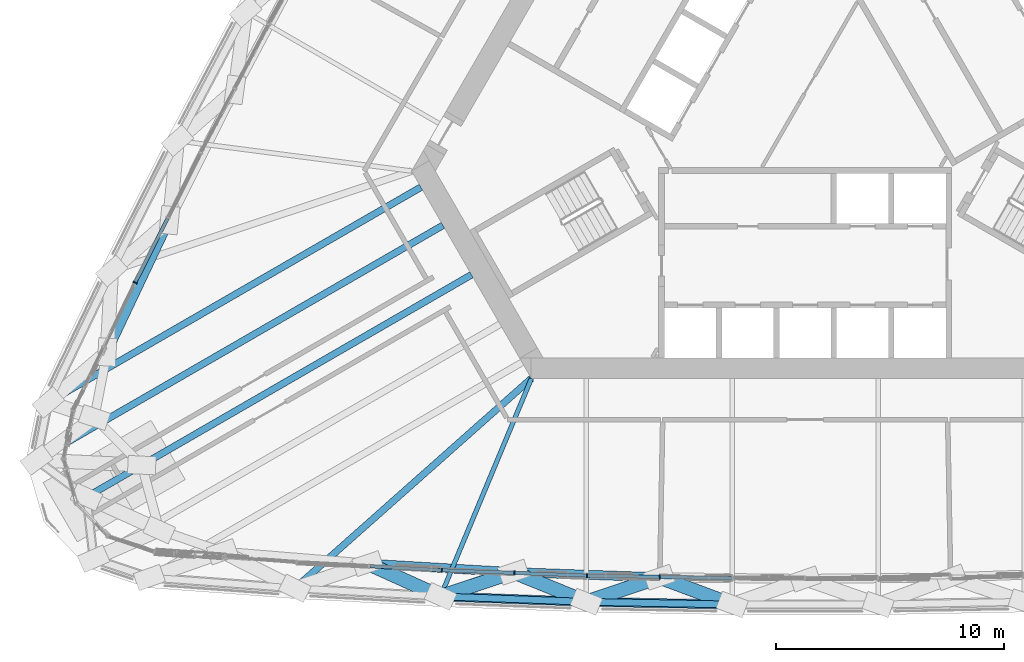
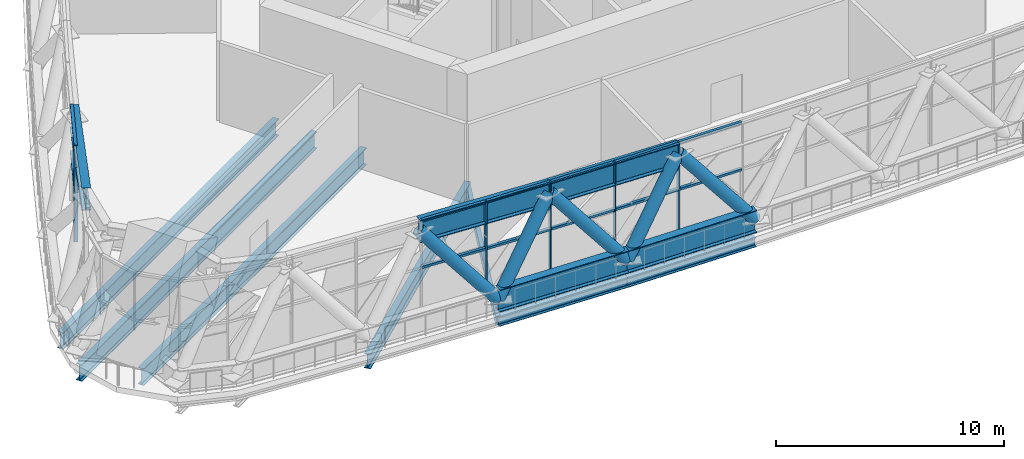
# One storey, part 2 of 43: 27 members, 7 beams, 2 elements without a shape of their own.
"""IFC4 building model written with IfcOpenShell, lengths in metres."""

from ifc_helpers import new_model, si_unit, direction, frame, origin, origin_2d, place, context, subcontext, project, spatial, rectangle, hollow_circle, i_section, extrude, material, material_profile, profile_set, type_object, element, aggregate, save


model = new_model("IFC4")

# Units and contexts
model_context = context("Model", 3, precision=1e-05, world=origin(), true_north=direction((0.0, 1.0)))
body_context = subcontext(model_context, "Body", "Model", "MODEL_VIEW")
ifc_project = project(units=[si_unit("LENGTHUNIT", "METRE"), si_unit("AREAUNIT", "SQUARE_METRE"), si_unit("VOLUMEUNIT", "CUBIC_METRE"), si_unit("PLANEANGLEUNIT", "RADIAN"), si_unit("MASSUNIT", "GRAM", prefix="KILO")], contexts=[model_context])

# Site, building, storey
site_placement = place(None, origin())
site = spatial("IfcSite", under=ifc_project, at=site_placement, CompositionType="ELEMENT")
building_placement = place(site_placement, origin())
building = spatial("IfcBuilding", under=site, at=building_placement, Name="Mestral Congress Tower", CompositionType="ELEMENT")
storey_placement = place(building_placement, frame((0.0, 0.0, 78.300048828125)))
storey = spatial("IfcBuildingStorey", under=building, at=storey_placement, Name="L18", CompositionType="ELEMENT", Elevation=78.300048828125)

# Members
ifc_material_1 = material(Name="Steel S355", Category="steel")
ifc_material_profile_1 = material_profile(ifc_material_1, i_section(OverallWidth=0.39990234375, OverallDepth=1.199951171875, WebThickness=0.02001953125, FlangeThickness=0.0400390625, FilletRadius=0.010009765625, at=origin_2d()), Name="WPG 1200")
ifc_profile_set_1 = profile_set([ifc_material_profile_1], Name="Steel S355")
member_type_1 = type_object("IfcMemberType", Name="Belt chord WPG 1200 S355", PredefinedType="CHORD", material=ifc_profile_set_1)
for number, where, z_axis, x_axis, name in (
    (1, (-15.994384765625, -22.558349609375, 0.599853515625), (0.999316557166, -0.0369650994, 0.0), (0.0369650994, 0.999316557166, 0.0), "MB-L18-BC1-S02"),
    (2, (-9.598876953125, -22.794921875, 0.599853515625), (0.99982954269, -0.018463086557, 0.0), (0.018463086557, 0.99982954269, 0.0), "MB-L18-BC1-S03"),
    (3, (-19.184326171875, -21.120361328125, 4.550048828125), (0.998290777072, -0.058442488077, 0.0), (0.058442488077, 0.998290777072, 0.0), "MB-L18-TC1-S01"),
    (4, (-12.79541015625, -21.494384765625, 4.550048828125), (0.999385298652, -0.035057450548, 0.0), (0.035057450548, 0.999385298652, 0.0), "MB-L18-TC1-S02"),
    (5, (-27.8828125, -6.0537109375, 4.550048828125), (-0.427513966881, -0.904008743388, 0.0), (0.904008743388, -0.427513966881, 0.0), "MB-L18-TC1-W07"),
):
    element("IfcMember", number, at=place(storey_placement, frame(where, z_axis=z_axis, x_axis=x_axis)), inside=storey, type_object=member_type_1, Name=name, PredefinedType="CHORD", context=body_context, shape_type="SweptSolid", body=[
        extrude(i_section(OverallWidth=0.39990234375, OverallDepth=1.199951171875, WebThickness=0.02001953125, FlangeThickness=0.0400390625, FilletRadius=0.010009765625, at=origin_2d()), origin(), (0.0, 0.0, 1.0), 6.39990234375),
    ])
ifc_material_profile_2 = material_profile(ifc_material_1, hollow_circle(Radius=0.304931640625, WallThickness=0.02490234375, at=origin_2d()), Name="CHS 610x25")
ifc_profile_set_2 = profile_set([ifc_material_profile_2], Name="Steel S355")
member_type_2 = type_object("IfcMemberType", Name="Belt diagonal CHS 610x25 S355", PredefinedType="BRACE", material=ifc_profile_set_2)
member_1_placement = place(storey_placement, frame((-15.994384765625, -22.558349609375, 0.599853515625), z_axis=(-0.604489803802, 0.272496934364, 0.748556943634), x_axis=(-0.410962227958, -0.911652371901, 0.0)))
element("IfcMember", 6, at=member_1_placement, inside=storey, type_object=member_type_2, Name="MD-L18-BD1-S02.S01", PredefinedType="BRACE", context=body_context, shape_type="SweptSolid", body=[
    extrude(hollow_circle(Radius=0.304931640625, WallThickness=0.02490234375, at=origin_2d()), origin(), (0.0, 0.0, 1.0), 5.277099609375),
])
member_2_placement = place(storey_placement, frame((-15.994384765625, -22.558349609375, 0.599853515625), z_axis=(0.615990938382, 0.204875868845, 0.76064514867), x_axis=(-0.315597659649, 0.948893101052, 0.0)))
element("IfcMember", 7, at=member_2_placement, inside=storey, type_object=member_type_2, Name="MD-L18-BD1-S02.S02", PredefinedType="BRACE", context=body_context, shape_type="SweptSolid", body=[
    extrude(hollow_circle(Radius=0.304931640625, WallThickness=0.02490234375, at=origin_2d()), origin(), (0.0, 0.0, 1.0), 5.193115234375),
])
member_3_placement = place(storey_placement, frame((-9.598876953125, -22.794921875, 0.599853515625), z_axis=(-0.609408012251, 0.247942906993, 0.75309108976), x_axis=(-0.376860887221, -0.926269869791, 0.0)))
element("IfcMember", 8, at=member_3_placement, inside=storey, type_object=member_type_2, Name="MD-L18-BD1-S03.S02", PredefinedType="BRACE", context=body_context, shape_type="SweptSolid", body=[
    extrude(hollow_circle(Radius=0.304931640625, WallThickness=0.02490234375, at=origin_2d()), origin(), (0.0, 0.0, 1.0), 5.245361328125),
])
member_4_placement = place(storey_placement, frame((-9.598876953125, -22.794921875, 0.599853515625), z_axis=(0.615751154668, 0.207114161753, 0.760233016599), x_axis=(-0.318808597266, 0.947819116873, 0.0)))
element("IfcMember", 9, at=member_4_placement, inside=storey, type_object=member_type_2, Name="MD-L18-BD1-S03.S03", PredefinedType="BRACE", context=body_context, shape_type="SweptSolid", body=[
    extrude(hollow_circle(Radius=0.304931640625, WallThickness=0.02490234375, at=origin_2d()), origin(), (0.0, 0.0, 1.0), 5.196044921875),
])
member_5_placement = place(storey_placement, frame((-3.199951171875, -22.9130859375, 0.599853515625), z_axis=(-0.612714342998, 0.228721752457, 0.756483637521), x_axis=(-0.349720702198, -0.936854007012, 0.0)))
element("IfcMember", 10, at=member_5_placement, inside=storey, type_object=member_type_2, Name="MD-L18-BD1-S04.S03", PredefinedType="BRACE", context=body_context, shape_type="SweptSolid", body=[
    extrude(hollow_circle(Radius=0.304931640625, WallThickness=0.02490234375, at=origin_2d()), origin(), (0.0, 0.0, 1.0), 5.2216796875),
])

# Curtain wall, members
ifc_material_2 = material(Name="Clear low-emissivity double glazing", Category="glass")
curtain_wall_type = type_object("IfcCurtainWallType", Name="Facade refuge band screen", PredefinedType="USERDEFINED", material=ifc_material_2)
placement = place(storey_placement, origin())
curtain_wall_1 = element("IfcCurtainWall", 11, at=placement, inside=storey, type_object=curtain_wall_type, Name="Facade refuge band screen face 1", ObjectType="CURTAIN WALL", PredefinedType="USERDEFINED")
ifc_material_3 = material(Name="Anodised aluminium", Category="aluminium")
ifc_material_profile_3 = material_profile(ifc_material_3, rectangle(XDim=0.179931640625, YDim=0.06005859375, at=origin_2d()), Name="CW3 mullion 180 x 60")
ifc_profile_set_3 = profile_set([ifc_material_profile_3], Name="Anodised aluminium")
member_type_3 = type_object("IfcMemberType", Name="Facade refuge band screen mullion", PredefinedType="MULLION", material=ifc_profile_set_3)
member_6_placement = place(storey_placement, frame((-15.941162109375, -21.409423828125, 0.0), z_axis=(0.0, 0.0, 1.0), x_axis=(-0.04619986774, -0.998932216029, 0.0)))
member_6 = element("IfcMember", 12, at=member_6_placement, type_object=member_type_3, Name="Facade refuge band screen mullion", PredefinedType="MULLION", context=body_context, shape_type="SweptSolid", body=[
    extrude(rectangle(XDim=0.179931640625, YDim=0.06005859375, at=origin_2d()), origin(), (0.0, 0.0, 1.0), 5.14990234375),
])
member_7_placement = place(storey_placement, frame((-12.75390625, -21.52734375, 0.0), z_axis=(0.0, 0.0, 1.0), x_axis=(-0.036964631714, -0.999316574466, 0.0)))
member_7 = element("IfcMember", 13, at=member_7_placement, type_object=member_type_3, Name="Facade refuge band screen mullion", PredefinedType="MULLION", context=body_context, shape_type="SweptSolid", body=[
    extrude(rectangle(XDim=0.179931640625, YDim=0.06005859375, at=origin_2d()), origin(), (0.0, 0.0, 1.0), 5.14990234375),
])
member_8_placement = place(storey_placement, frame((-9.56689453125, -21.645263671875, 0.0), z_axis=(0.0, 0.0, 1.0), x_axis=(-0.027726237529, -0.999615553977, 0.0)))
member_8 = element("IfcMember", 14, at=member_8_placement, type_object=member_type_3, Name="Facade refuge band screen mullion", PredefinedType="MULLION", context=body_context, shape_type="SweptSolid", body=[
    extrude(rectangle(XDim=0.179931640625, YDim=0.06005859375, at=origin_2d()), origin(), (0.0, 0.0, 1.0), 5.14990234375),
])
member_9_placement = place(storey_placement, frame((-6.378173828125, -21.704345703125, 0.0), z_axis=(0.0, 0.0, 1.0), x_axis=(-0.018485474488, -0.999829129018, 0.0)))
member_9 = element("IfcMember", 15, at=member_9_placement, type_object=member_type_3, Name="Facade refuge band screen mullion", PredefinedType="MULLION", context=body_context, shape_type="SweptSolid", body=[
    extrude(rectangle(XDim=0.179931640625, YDim=0.06005859375, at=origin_2d()), origin(), (0.0, 0.0, 1.0), 5.14990234375),
])

# Curtain wall, member
curtain_wall_2 = element("IfcCurtainWall", 16, at=placement, inside=storey, type_object=curtain_wall_type, Name="Facade refuge band screen face 3", ObjectType="CURTAIN WALL", PredefinedType="USERDEFINED")
member_10_placement = place(storey_placement, frame((-29.389892578125, -8.793212890625, 0.0), z_axis=(0.0, 0.0, 1.0), x_axis=(-0.896542101273, 0.442958531519, 0.0)))
member_10 = element("IfcMember", 17, at=member_10_placement, type_object=member_type_3, Name="Facade refuge band screen mullion", PredefinedType="MULLION", context=body_context, shape_type="SweptSolid", body=[
    extrude(rectangle(XDim=0.179931640625, YDim=0.06005859375, at=origin_2d()), origin(), (0.0, 0.0, 1.0), 5.14990234375),
])

# Member
ifc_material_profile_4 = material_profile(ifc_material_3, rectangle(XDim=0.14990234375, YDim=0.1201171875, at=origin_2d()), Name="CW3 transom 150 x 120")
ifc_profile_set_4 = profile_set([ifc_material_profile_4], Name="Anodised aluminium")
member_type_4 = type_object("IfcMemberType", Name="Facade refuge band screen transom", PredefinedType="USERDEFINED", material=ifc_profile_set_4)
member_11_placement = place(storey_placement, frame((-19.095703125, -21.234375, 2.599853515625), z_axis=(0.998460353205, -0.055470019623, 0.0), x_axis=(0.055470019623, 0.998460353205, 0.0)))
member_11 = element("IfcMember", 18, at=member_11_placement, type_object=member_type_4, Name="Facade refuge band screen transom", ObjectType="TRANSOM", PredefinedType="USERDEFINED", context=body_context, shape_type="SweptSolid", body=[
    extrude(rectangle(XDim=0.14990234375, YDim=0.1201171875, at=origin_2d()), origin(), (0.0, 0.0, 1.0), 3.12939453125),
])

member_12_placement = place(storey_placement, frame((-19.095703125, -21.234375, 5.08984375), z_axis=(0.998460353205, -0.055470019623, 0.0), x_axis=(0.055470019623, 0.998460353205, 0.0)))
member_12 = element("IfcMember", 19, at=member_12_placement, type_object=member_type_4, Name="Facade refuge band screen transom", ObjectType="TRANSOM", PredefinedType="USERDEFINED", context=body_context, shape_type="SweptSolid", body=[
    extrude(rectangle(XDim=0.14990234375, YDim=0.1201171875, at=origin_2d()), origin(), (0.0, 0.0, 1.0), 3.12939453125),
])

member_13_placement = place(storey_placement, frame((-15.9111328125, -21.41064453125, 2.599853515625), z_axis=(0.999316008857, -0.036979919447, 0.0), x_axis=(0.036979919447, 0.999316008857, 0.0)))
member_13 = element("IfcMember", 20, at=member_13_placement, type_object=member_type_4, Name="Facade refuge band screen transom", ObjectType="TRANSOM", PredefinedType="USERDEFINED", context=body_context, shape_type="SweptSolid", body=[
    extrude(rectangle(XDim=0.14990234375, YDim=0.1201171875, at=origin_2d()), origin(), (0.0, 0.0, 1.0), 3.12939453125),
])

member_14_placement = place(storey_placement, frame((-15.9111328125, -21.41064453125, 5.08984375), z_axis=(0.999316008857, -0.036979919447, 0.0), x_axis=(0.036979919447, 0.999316008857, 0.0)))
member_14 = element("IfcMember", 21, at=member_14_placement, type_object=member_type_4, Name="Facade refuge band screen transom", ObjectType="TRANSOM", PredefinedType="USERDEFINED", context=body_context, shape_type="SweptSolid", body=[
    extrude(rectangle(XDim=0.14990234375, YDim=0.1201171875, at=origin_2d()), origin(), (0.0, 0.0, 1.0), 3.12939453125),
])

member_15_placement = place(storey_placement, frame((-12.72412109375, -21.528564453125, 2.599853515625), z_axis=(0.999316008857, -0.036979919447, 0.0), x_axis=(0.036979919447, 0.999316008857, 0.0)))
member_15 = element("IfcMember", 22, at=member_15_placement, type_object=member_type_4, Name="Facade refuge band screen transom", ObjectType="TRANSOM", PredefinedType="USERDEFINED", context=body_context, shape_type="SweptSolid", body=[
    extrude(rectangle(XDim=0.14990234375, YDim=0.1201171875, at=origin_2d()), origin(), (0.0, 0.0, 1.0), 3.12939453125),
])

member_16_placement = place(storey_placement, frame((-12.72412109375, -21.528564453125, 5.08984375), z_axis=(0.999316008857, -0.036979919447, 0.0), x_axis=(0.036979919447, 0.999316008857, 0.0)))
member_16 = element("IfcMember", 23, at=member_16_placement, type_object=member_type_4, Name="Facade refuge band screen transom", ObjectType="TRANSOM", PredefinedType="USERDEFINED", context=body_context, shape_type="SweptSolid", body=[
    extrude(rectangle(XDim=0.14990234375, YDim=0.1201171875, at=origin_2d()), origin(), (0.0, 0.0, 1.0), 3.12939453125),
])

member_17_placement = place(storey_placement, frame((-9.536865234375, -21.64599609375, 2.599853515625), z_axis=(0.999830470087, -0.018412796796, 0.0), x_axis=(0.018412796796, 0.999830470087, 0.0)))
member_17 = element("IfcMember", 24, at=member_17_placement, type_object=member_type_4, Name="Facade refuge band screen transom", ObjectType="TRANSOM", PredefinedType="USERDEFINED", context=body_context, shape_type="SweptSolid", body=[
    extrude(rectangle(XDim=0.14990234375, YDim=0.1201171875, at=origin_2d()), origin(), (0.0, 0.0, 1.0), 3.129150390625),
])

member_18_placement = place(storey_placement, frame((-9.536865234375, -21.64599609375, 5.08984375), z_axis=(0.999830470087, -0.018412796796, 0.0), x_axis=(0.018412796796, 0.999830470087, 0.0)))
member_18 = element("IfcMember", 25, at=member_18_placement, type_object=member_type_4, Name="Facade refuge band screen transom", ObjectType="TRANSOM", PredefinedType="USERDEFINED", context=body_context, shape_type="SweptSolid", body=[
    extrude(rectangle(XDim=0.14990234375, YDim=0.1201171875, at=origin_2d()), origin(), (0.0, 0.0, 1.0), 3.129150390625),
])

member_19_placement = place(storey_placement, frame((-6.34814453125, -21.704833984375, 2.599853515625), z_axis=(0.999829057391, -0.018489348205, 0.0), x_axis=(0.018489348205, 0.999829057391, 0.0)))
member_19 = element("IfcMember", 26, at=member_19_placement, type_object=member_type_4, Name="Facade refuge band screen transom", ObjectType="TRANSOM", PredefinedType="USERDEFINED", context=body_context, shape_type="SweptSolid", body=[
    extrude(rectangle(XDim=0.14990234375, YDim=0.1201171875, at=origin_2d()), origin(), (0.0, 0.0, 1.0), 3.12939453125),
])

member_20_placement = place(storey_placement, frame((-6.34814453125, -21.704833984375, 5.08984375), z_axis=(0.999829057391, -0.018489348205, 0.0), x_axis=(0.018489348205, 0.999829057391, 0.0)))
member_20 = element("IfcMember", 27, at=member_20_placement, type_object=member_type_4, Name="Facade refuge band screen transom", ObjectType="TRANSOM", PredefinedType="USERDEFINED", context=body_context, shape_type="SweptSolid", body=[
    extrude(rectangle(XDim=0.14990234375, YDim=0.1201171875, at=origin_2d()), origin(), (0.0, 0.0, 1.0), 3.12939453125),
])

aggregate(curtain_wall_1, [member_6, member_7, member_8, member_9, member_11, member_12, member_13, member_14, member_15, member_16, member_17, member_18, member_19, member_20])

member_21_placement = place(storey_placement, frame((-27.96435546875, -5.9736328125, 2.599853515625), z_axis=(-0.451234602971, -0.892405363656, 0.0), x_axis=(0.892405363656, -0.451234602971, 0.0)))
member_21 = element("IfcMember", 28, at=member_21_placement, type_object=member_type_4, Name="Facade refuge band screen transom", ObjectType="TRANSOM", PredefinedType="USERDEFINED", context=body_context, shape_type="SweptSolid", body=[
    extrude(rectangle(XDim=0.14990234375, YDim=0.1201171875, at=origin_2d()), origin(), (0.0, 0.0, 1.0), 3.12939453125),
])

member_22_placement = place(storey_placement, frame((-27.96435546875, -5.9736328125, 5.08984375), z_axis=(-0.451234602971, -0.892405363656, 0.0), x_axis=(0.892405363656, -0.451234602971, 0.0)))
member_22 = element("IfcMember", 29, at=member_22_placement, type_object=member_type_4, Name="Facade refuge band screen transom", ObjectType="TRANSOM", PredefinedType="USERDEFINED", context=body_context, shape_type="SweptSolid", body=[
    extrude(rectangle(XDim=0.14990234375, YDim=0.1201171875, at=origin_2d()), origin(), (0.0, 0.0, 1.0), 3.12939453125),
])

aggregate(curtain_wall_2, [member_10, member_21, member_22])

# Beams
ifc_material_profile_5 = material_profile(ifc_material_1, i_section(OverallWidth=0.300048828125, OverallDepth=0.800048828125, WebThickness=0.017578125, FlangeThickness=0.032958984375, FilletRadius=0.030029296875, at=origin_2d()), Name="HEB 800")
ifc_profile_set_5 = profile_set([ifc_material_profile_5], Name="Steel S355")
beam_type_1 = type_object("IfcBeamType", Name="Floor beam HEB 800 S355", PredefinedType="BEAM", material=ifc_profile_set_5)
beam_1_placement = place(storey_placement, frame((-22.384521484375, -22.20361328125, -0.699951171875), z_axis=(0.748098457573, 0.663587746855, 0.0), x_axis=(-0.663587746855, 0.748098457573, 0.0)))
element("IfcBeam", 30, at=beam_1_placement, inside=storey, type_object=beam_type_1, Name="BM-L18-RB1-S01", PredefinedType="BEAM", context=body_context, shape_type="SweptSolid", body=[
    extrude(i_section(OverallWidth=0.300048828125, OverallDepth=0.800048828125, WebThickness=0.017578125, FlangeThickness=0.032958984375, FilletRadius=0.030029296875, at=origin_2d()), origin(), (0.0, 0.0, 1.0), 13.869384765625),
])
ifc_material_profile_6 = material_profile(ifc_material_1, i_section(OverallWidth=0.300048828125, OverallDepth=0.89990234375, WebThickness=0.0185546875, FlangeThickness=0.034912109375, FilletRadius=0.030029296875, at=origin_2d()), Name="HEB 900")
ifc_profile_set_6 = profile_set([ifc_material_profile_6], Name="Steel S355")
beam_type_2 = type_object("IfcBeamType", Name="Floor beam HEB 900 S355", PredefinedType="BEAM", material=ifc_profile_set_6)
beam_2_placement = place(storey_placement, frame((-33.202880859375, -14.04736328125, -0.75), z_axis=(0.86603009716, 0.499991870746, 0.0), x_axis=(-0.499991870746, 0.86603009716, 0.0)))
element("IfcBeam", 31, at=beam_2_placement, inside=storey, type_object=beam_type_2, Name="BM-L18-RB1-W09", PredefinedType="BEAM", context=body_context, shape_type="SweptSolid", body=[
    extrude(i_section(OverallWidth=0.300048828125, OverallDepth=0.89990234375, WebThickness=0.0185546875, FlangeThickness=0.034912109375, FilletRadius=0.030029296875, at=origin_2d()), origin(), (0.0, 0.0, 1.0), 18.878173828125),
])
beam_3_placement = place(storey_placement, frame((-33.71337890625, -16.573974609375, -0.75), z_axis=(0.866026584559, 0.499997954832, 0.0), x_axis=(-0.499997954832, 0.866026584559, 0.0)))
element("IfcBeam", 32, at=beam_3_placement, inside=storey, type_object=beam_type_2, Name="BM-L18-RB1-SW1", PredefinedType="BEAM", context=body_context, shape_type="SweptSolid", body=[
    extrude(i_section(OverallWidth=0.300048828125, OverallDepth=0.89990234375, WebThickness=0.0185546875, FlangeThickness=0.034912109375, FilletRadius=0.030029296875, at=origin_2d()), origin(), (0.0, 0.0, 1.0), 20.58349609375),
])
beam_4_placement = place(storey_placement, frame((-31.5224609375, -18.199462890625, -0.75), z_axis=(0.866026289775, 0.499998465416, 0.0), x_axis=(-0.499998465416, 0.866026289775, 0.0)))
element("IfcBeam", 33, at=beam_4_placement, inside=storey, type_object=beam_type_2, Name="BM-L18-RB1-SW", PredefinedType="BEAM", context=body_context, shape_type="SweptSolid", body=[
    extrude(i_section(OverallWidth=0.300048828125, OverallDepth=0.89990234375, WebThickness=0.0185546875, FlangeThickness=0.034912109375, FilletRadius=0.030029296875, at=origin_2d()), origin(), (0.0, 0.0, 1.0), 19.4990234375),
])
ifc_material_profile_7 = material_profile(ifc_material_1, i_section(OverallWidth=0.199951171875, OverallDepth=0.5, WebThickness=0.01025390625, FlangeThickness=0.01611328125, FilletRadius=0.02099609375, at=origin_2d()), Name="IPE 500")
ifc_profile_set_7 = profile_set([ifc_material_profile_7], Name="Steel S355")
beam_type_3 = type_object("IfcBeamType", Name="Floor beam IPE 500 S355", PredefinedType="BEAM", material=ifc_profile_set_7)
beam_5_placement = place(storey_placement, frame((-15.994384765625, -22.558349609375, -0.550048828125), z_axis=(0.384858093786, 0.922975756804, 0.0), x_axis=(-0.922975756804, 0.384858093786, 0.0)))
element("IfcBeam", 34, at=beam_5_placement, inside=storey, type_object=beam_type_3, Name="BM-L18-RB1-S02", PredefinedType="BEAM", context=body_context, shape_type="SweptSolid", body=[
    extrude(i_section(OverallWidth=0.199951171875, OverallDepth=0.5, WebThickness=0.01025390625, FlangeThickness=0.01611328125, FilletRadius=0.02099609375, at=origin_2d()), origin(), (0.0, 0.0, 1.0), 10.35595703125),
])
ifc_material_profile_8 = material_profile(ifc_material_1, i_section(OverallWidth=0.300048828125, OverallDepth=0.489990234375, WebThickness=0.011962890625, FlangeThickness=0.02294921875, FilletRadius=0.027099609375, at=origin_2d()), Name="HEA 500")
ifc_profile_set_8 = profile_set([ifc_material_profile_8], Name="Steel S355")
beam_type_4 = type_object("IfcBeamType", Name="Spandrel beam HEA 500 S355", PredefinedType="BEAM", material=ifc_profile_set_8)
for number, where, z_axis, x_axis, name in (
    (35, (-15.994384765625, -22.558349609375, -0.545166015625), (0.999316557166, -0.0369650994, 0.0), (0.0369650994, 0.999316557166, 0.0), "SP-L18-SB1-S02"),
    (36, (-9.598876953125, -22.794921875, -0.545166015625), (0.99982954269, -0.018463086557, 0.0), (0.018463086557, 0.99982954269, 0.0), "SP-L18-SB1-S03"),
):
    element("IfcBeam", number, at=place(storey_placement, frame(where, z_axis=z_axis, x_axis=x_axis)), inside=storey, type_object=beam_type_4, Name=name, PredefinedType="BEAM", context=body_context, shape_type="SweptSolid", body=[
        extrude(i_section(OverallWidth=0.300048828125, OverallDepth=0.489990234375, WebThickness=0.011962890625, FlangeThickness=0.02294921875, FilletRadius=0.027099609375, at=origin_2d()), origin(), (0.0, 0.0, 1.0), 6.39990234375),
    ])

save(model, "model.ifc")
